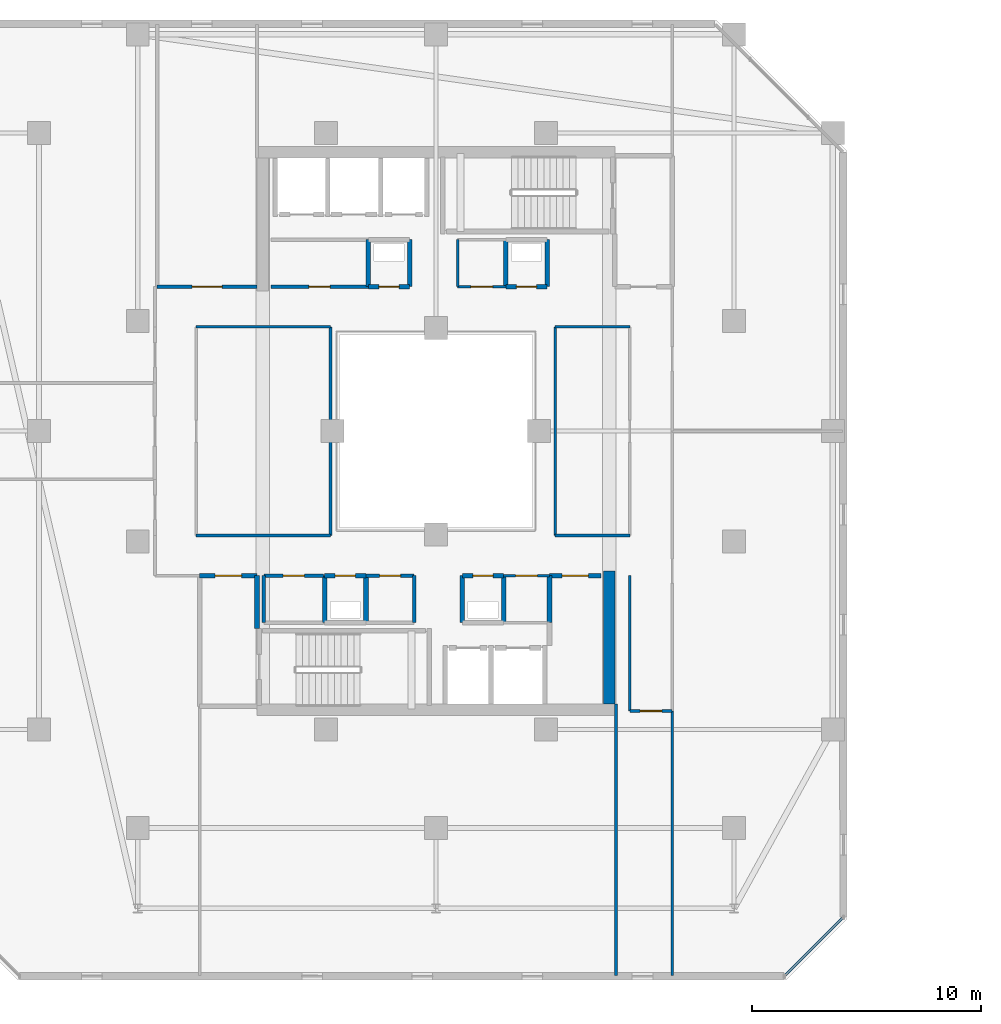
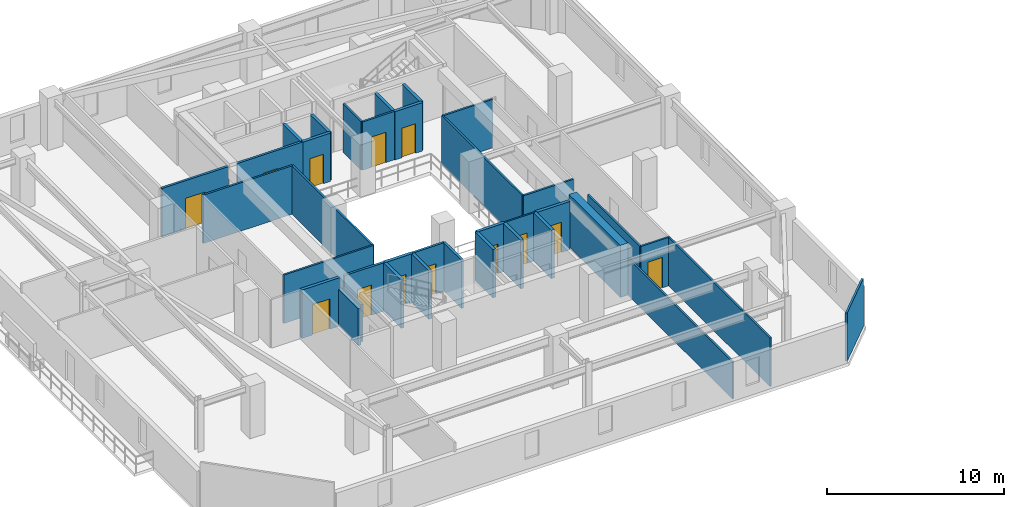
# One storey, part 19 of 31: 37 walls, 13 doors, 13 openings.
"""IFC4 building model written with IfcOpenShell, lengths in metres."""

from ifc_helpers import new_model, si_unit, direction, frame, frame_2d, origin, place, context, subcontext, project, spatial, rectangle, extrude, material, layer, layer_set, type_object, element, fill, save


model = new_model("IFC4")

# Units and contexts
model_context = context("Model", 3, precision=1e-05, world=origin(), true_north=direction((0.0, 1.0)))
body_context = subcontext(model_context, "Body", "Model", "MODEL_VIEW")
ifc_project = project(units=[si_unit("LENGTHUNIT", "METRE"), si_unit("AREAUNIT", "SQUARE_METRE"), si_unit("VOLUMEUNIT", "CUBIC_METRE"), si_unit("PLANEANGLEUNIT", "RADIAN"), si_unit("MASSUNIT", "GRAM", prefix="KILO")], contexts=[model_context])

# Site, building, storey
site_placement = place(None, origin())
site = spatial("IfcSite", under=ifc_project, at=site_placement, CompositionType="ELEMENT")
building_placement = place(site_placement, origin())
building = spatial("IfcBuilding", under=site, at=building_placement, Name="Thornwick Lancets Civic Towers", CompositionType="ELEMENT")
storey_placement = place(building_placement, frame((0.0, 0.0, 236.699951171875)))
storey = spatial("IfcBuildingStorey", under=building, at=storey_placement, Name="L63", CompositionType="ELEMENT", Elevation=236.699951171875)

# Wall
ifc_material_1 = material(Name="Concrete blockwork C40/50", Category="masonry")
ifc_layer_1 = layer(ifc_material_1, 0.199951171875, Name="Concrete blockwork C40/50")
ifc_layer_set_1 = layer_set([ifc_layer_1], Name="Concrete blockwork C40/50")
wall_type_1 = type_object("IfcWallType", Name="WALL_COMP_200", PredefinedType="STANDARD", material=ifc_layer_set_1)
wall_1_placement = place(storey_placement, frame((17.699951171875, 18.39990234375, 0.0), z_axis=(0.0, 0.0, 1.0), x_axis=(0.0, 1.0, 0.0)))
element("IfcWall", 1, at=wall_1_placement, inside=storey, type_object=wall_type_1, Name="L63 Partition L63-A-FFLOB1 E2", PredefinedType="STANDARD", context=body_context, shape_type="SweptSolid", body=[
    extrude(rectangle(XDim=2.300048828125, YDim=0.199951171875, at=frame_2d((1.14990234375, 0.0))), origin(), (0.0, 0.0, 1.0), 2.545166015625),
])

# Wall, opening, door
wall_2_placement = place(storey_placement, frame((17.699951171875, 20.699951171875, 0.0), z_axis=(0.0, 0.0, 1.0), x_axis=(-1.0, 0.0, 0.0)))
wall_2 = element("IfcWall", 2, at=wall_2_placement, inside=storey, type_object=wall_type_1, Name="L63 Partition L63-A-FFLOB1 E3", PredefinedType="STANDARD", context=body_context, shape_type="SweptSolid", body=[
    extrude(rectangle(XDim=2.5, YDim=0.199951171875, at=frame_2d((1.25, 0.0))), origin(), (0.0, 0.0, 1.0), 3.340087890625),
])
opening_1_placement = place(wall_2_placement, frame((0.675048828125, 0.0, 0.0)))
opening_1 = element("IfcOpeningElement", 3, at=opening_1_placement, cuts=wall_2, Name="Opening D-L63-2827", PredefinedType="OPENING", context=body_context, shape_type="SweptSolid", body=[
    extrude(rectangle(XDim=1.14990234375, YDim=2.10009765625, at=frame_2d((0.574951171875, 1.050048828125))), frame((0.0, 0.10986328125, 0.0), z_axis=(0.0, -1.0, 0.0), x_axis=(1.0, 0.0, 0.0)), (0.0, 0.0, 1.0), 0.219970703125),
])
ifc_material_2 = material(Name="Glazed fire-resisting steel", Category="steel")
door_type_1 = type_object("IfcDoorType", Name="DOOR_LOBBY_FD60", OperationType="NOTDEFINED", PredefinedType="DOOR", material=ifc_material_2)
door_1_placement = place(opening_1_placement, origin())
door_1 = element("IfcDoor", 4, at=door_1_placement, inside=storey, type_object=door_type_1, Name="L63 South Firefighting Lobby 1 Door", OperationType="SINGLE_SWING_RIGHT", OverallHeight=2.10009765625, OverallWidth=1.14990234375, PredefinedType="DOOR", context=body_context, shape_type="SweptSolid", body=[
    extrude(rectangle(XDim=1.14990234375, YDim=2.10009765625, at=frame_2d((0.574951171875, 1.050048828125))), frame((0.0, 0.02490234375, 0.0), z_axis=(0.0, -1.0, 0.0), x_axis=(1.0, 0.0, 0.0)), (0.0, 0.0, 1.0), 0.050048828125),
])
fill(opening_1, door_1)

# Wall
wall_3_placement = place(storey_placement, frame((28.449951171875, 18.64990234375, 0.0), z_axis=(0.0, 0.0, 1.0), x_axis=(0.0, 1.0, 0.0)))
element("IfcWall", 5, at=wall_3_placement, inside=storey, type_object=wall_type_1, Name="L63 Partition L63-A-DUCT1 E2", PredefinedType="STANDARD", context=body_context, shape_type="SweptSolid", body=[
    extrude(rectangle(XDim=2.050048828125, YDim=0.199951171875, at=frame_2d((1.02490234375, 0.0))), origin(), (0.0, 0.0, 1.0), 3.340087890625),
])

# Wall, opening, door
wall_4_placement = place(storey_placement, frame((28.449951171875, 20.699951171875, 0.0), z_axis=(0.0, 0.0, 1.0), x_axis=(-1.0, 0.0, 0.0)))
wall_4 = element("IfcWall", 6, at=wall_4_placement, inside=storey, type_object=wall_type_1, Name="L63 Partition L63-A-DUCT1 E3", PredefinedType="STANDARD", context=body_context, shape_type="SweptSolid", body=[
    extrude(rectangle(XDim=1.800048828125, YDim=0.199951171875, at=frame_2d((0.89990234375, 0.0))), origin(), (0.0, 0.0, 1.0), 3.340087890625),
])
opening_2_placement = place(wall_4_placement, frame((0.4599609375, 0.0, 0.0)))
opening_2 = element("IfcOpeningElement", 7, at=opening_2_placement, cuts=wall_4, Name="Opening D-L63-2829", PredefinedType="OPENING", context=body_context, shape_type="SweptSolid", body=[
    extrude(rectangle(XDim=0.8798828125, YDim=2.0400390625, at=frame_2d((0.43994140625, 1.02001953125))), frame((0.0, 0.10986328125, 0.0), z_axis=(0.0, -1.0, 0.0), x_axis=(1.0, 0.0, 0.0)), (0.0, 0.0, 1.0), 0.219970703125),
])
ifc_material_3 = material(Name="Steel riser access doorset", Category="steel")
door_type_2 = type_object("IfcDoorType", Name="DOOR_RISER_850", OperationType="NOTDEFINED", PredefinedType="DOOR", material=ifc_material_3)
door_2_placement = place(opening_2_placement, origin())
door_2 = element("IfcDoor", 8, at=door_2_placement, inside=storey, type_object=door_type_2, Name="L63 South Service Duct 1 Door", OperationType="SINGLE_SWING_RIGHT", OverallHeight=2.0400390625, OverallWidth=0.8798828125, PredefinedType="DOOR", context=body_context, shape_type="SweptSolid", body=[
    extrude(rectangle(XDim=0.8798828125, YDim=2.0400390625, at=frame_2d((0.43994140625, 1.02001953125))), frame((0.0, 0.02490234375, 0.0), z_axis=(0.0, -1.0, 0.0), x_axis=(1.0, 0.0, 0.0)), (0.0, 0.0, 1.0), 0.050048828125),
])
fill(opening_2, door_2)

# Walls
for number, where, z_axis, x_axis, name in (
    (9, (26.64990234375, 20.699951171875, 0.0), (0.0, 0.0, 1.0), (0.0, -1.0, 0.0), "L63 Partition L63-A-DUCT1 E4"),
    (10, (22.449951171875, 18.64990234375, 0.0), (0.0, 0.0, 1.0), (0.0, 1.0, 0.0), "L63 Partition L63-A-RISER1 E2"),
):
    element("IfcWall", number, at=place(storey_placement, frame(where, z_axis=z_axis, x_axis=x_axis)), inside=storey, type_object=wall_type_1, Name=name, PredefinedType="STANDARD", context=body_context, shape_type="SweptSolid", body=[
        extrude(rectangle(XDim=2.050048828125, YDim=0.199951171875, at=frame_2d((1.02490234375, 0.0))), origin(), (0.0, 0.0, 1.0), 3.340087890625),
    ])

# Wall, opening, door
wall_5_placement = place(storey_placement, frame((22.449951171875, 20.699951171875, 0.0), z_axis=(0.0, 0.0, 1.0), x_axis=(-1.0, 0.0, 0.0)))
wall_5 = element("IfcWall", 11, at=wall_5_placement, inside=storey, type_object=wall_type_1, Name="L63 Partition L63-A-RISER1 E3", PredefinedType="STANDARD", context=body_context, shape_type="SweptSolid", body=[
    extrude(rectangle(XDim=1.800048828125, YDim=0.199951171875, at=frame_2d((0.89990234375, 0.0))), origin(), (0.0, 0.0, 1.0), 3.340087890625),
])
opening_3_placement = place(wall_5_placement, frame((0.4599609375, 0.0, 0.0)))
opening_3 = element("IfcOpeningElement", 12, at=opening_3_placement, cuts=wall_5, Name="Opening D-L63-2830", PredefinedType="OPENING", context=body_context, shape_type="SweptSolid", body=[
    extrude(rectangle(XDim=0.8798828125, YDim=2.0400390625, at=frame_2d((0.43994140625, 1.02001953125))), frame((0.0, 0.10986328125, 0.0), z_axis=(0.0, -1.0, 0.0), x_axis=(1.0, 0.0, 0.0)), (0.0, 0.0, 1.0), 0.219970703125),
])
door_3_placement = place(opening_3_placement, origin())
door_3 = element("IfcDoor", 13, at=door_3_placement, inside=storey, type_object=door_type_2, Name="L63 South Electrical Riser 1 Door", OperationType="SINGLE_SWING_LEFT", OverallHeight=2.0400390625, OverallWidth=0.8798828125, PredefinedType="DOOR", context=body_context, shape_type="SweptSolid", body=[
    extrude(rectangle(XDim=0.8798828125, YDim=2.0400390625, at=frame_2d((0.43994140625, 1.02001953125))), frame((0.0, 0.02490234375, 0.0), z_axis=(0.0, -1.0, 0.0), x_axis=(1.0, 0.0, 0.0)), (0.0, 0.0, 1.0), 0.050048828125),
])
fill(opening_3, door_3)

# Wall
wall_6_placement = place(storey_placement, frame((20.64990234375, 20.699951171875, 0.0), z_axis=(0.0, 0.0, 1.0), x_axis=(0.0, -1.0, 0.0)))
element("IfcWall", 14, at=wall_6_placement, inside=storey, type_object=wall_type_1, Name="L63 Partition L63-A-RISER1 E4", PredefinedType="STANDARD", context=body_context, shape_type="SweptSolid", body=[
    extrude(rectangle(XDim=2.050048828125, YDim=0.199951171875, at=frame_2d((1.02490234375, 0.0))), origin(), (0.0, 0.0, 1.0), 3.340087890625),
])

# Wall, opening, door
wall_7_placement = place(storey_placement, frame((22.550048828125, 33.300048828125, 0.0), z_axis=(0.0, 0.0, 1.0), x_axis=(1.0, 0.0, 0.0)))
wall_7 = element("IfcWall", 15, at=wall_7_placement, inside=storey, type_object=wall_type_1, Name="L63 Partition L63-A-DUCT2 E1", PredefinedType="STANDARD", context=body_context, shape_type="SweptSolid", body=[
    extrude(rectangle(XDim=1.800048828125, YDim=0.199951171875, at=frame_2d((0.89990234375, 0.0))), origin(), (0.0, 0.0, 1.0), 3.340087890625),
])
opening_4_placement = place(wall_7_placement, frame((0.4599609375, 0.0, 0.0)))
opening_4 = element("IfcOpeningElement", 16, at=opening_4_placement, cuts=wall_7, Name="Opening D-L63-2831", PredefinedType="OPENING", context=body_context, shape_type="SweptSolid", body=[
    extrude(rectangle(XDim=0.8798828125, YDim=2.0400390625, at=frame_2d((0.43994140625, 1.02001953125))), frame((0.0, 0.10986328125, 0.0), z_axis=(0.0, -1.0, 0.0), x_axis=(1.0, 0.0, 0.0)), (0.0, 0.0, 1.0), 0.219970703125),
])
door_4_placement = place(opening_4_placement, origin())
door_4 = element("IfcDoor", 17, at=door_4_placement, inside=storey, type_object=door_type_2, Name="L63 North Service Duct 2 Door", OperationType="SINGLE_SWING_RIGHT", OverallHeight=2.0400390625, OverallWidth=0.8798828125, PredefinedType="DOOR", context=body_context, shape_type="SweptSolid", body=[
    extrude(rectangle(XDim=0.8798828125, YDim=2.0400390625, at=frame_2d((0.43994140625, 1.02001953125))), frame((0.0, 0.02490234375, 0.0), z_axis=(0.0, -1.0, 0.0), x_axis=(1.0, 0.0, 0.0)), (0.0, 0.0, 1.0), 0.050048828125),
])
fill(opening_4, door_4)

# Walls
for number, where, z_axis, x_axis, name in (
    (18, (24.35009765625, 33.300048828125, 0.0), (0.0, 0.0, 1.0), (0.0, 1.0, 0.0), "L63 Partition L63-A-DUCT2 E2"),
    (19, (22.550048828125, 35.35009765625, 0.0), (0.0, 0.0, 1.0), (0.0, -1.0, 0.0), "L63 Partition L63-A-DUCT2 E4"),
):
    element("IfcWall", number, at=place(storey_placement, frame(where, z_axis=z_axis, x_axis=x_axis)), inside=storey, type_object=wall_type_1, Name=name, PredefinedType="STANDARD", context=body_context, shape_type="SweptSolid", body=[
        extrude(rectangle(XDim=2.050048828125, YDim=0.199951171875, at=frame_2d((1.02490234375, 0.0))), origin(), (0.0, 0.0, 1.0), 3.340087890625),
    ])

# Wall, opening, door
wall_8_placement = place(storey_placement, frame((28.550048828125, 33.300048828125, 0.0), z_axis=(0.0, 0.0, 1.0), x_axis=(1.0, 0.0, 0.0)))
wall_8 = element("IfcWall", 20, at=wall_8_placement, inside=storey, type_object=wall_type_1, Name="L63 Partition L63-A-RISER2 E1", PredefinedType="STANDARD", context=body_context, shape_type="SweptSolid", body=[
    extrude(rectangle(XDim=1.800048828125, YDim=0.199951171875, at=frame_2d((0.89990234375, 0.0))), origin(), (0.0, 0.0, 1.0), 3.340087890625),
])
opening_5_placement = place(wall_8_placement, frame((0.4599609375, 0.0, 0.0)))
opening_5 = element("IfcOpeningElement", 21, at=opening_5_placement, cuts=wall_8, Name="Opening D-L63-2832", PredefinedType="OPENING", context=body_context, shape_type="SweptSolid", body=[
    extrude(rectangle(XDim=0.8798828125, YDim=2.0400390625, at=frame_2d((0.43994140625, 1.02001953125))), frame((0.0, 0.10986328125, 0.0), z_axis=(0.0, -1.0, 0.0), x_axis=(1.0, 0.0, 0.0)), (0.0, 0.0, 1.0), 0.219970703125),
])
door_5_placement = place(opening_5_placement, origin())
door_5 = element("IfcDoor", 22, at=door_5_placement, inside=storey, type_object=door_type_2, Name="L63 North Service Riser 2 Door", OperationType="SINGLE_SWING_LEFT", OverallHeight=2.0400390625, OverallWidth=0.8798828125, PredefinedType="DOOR", context=body_context, shape_type="SweptSolid", body=[
    extrude(rectangle(XDim=0.8798828125, YDim=2.0400390625, at=frame_2d((0.43994140625, 1.02001953125))), frame((0.0, 0.02490234375, 0.0), z_axis=(0.0, -1.0, 0.0), x_axis=(1.0, 0.0, 0.0)), (0.0, 0.0, 1.0), 0.050048828125),
])
fill(opening_5, door_5)

# Walls
for number, where, z_axis, x_axis, name in (
    (23, (30.35009765625, 33.300048828125, 0.0), (0.0, 0.0, 1.0), (0.0, 1.0, 0.0), "L63 Partition L63-A-RISER2 E2"),
    (24, (28.550048828125, 35.35009765625, 0.0), (0.0, 0.0, 1.0), (0.0, -1.0, 0.0), "L63 Partition L63-A-RISER2 E4"),
    (25, (30.449951171875, 18.64990234375, 0.0), (0.0, 0.0, 1.0), (0.0, 1.0, 0.0), "L63 Partition L63-A-ITR2 E4"),
):
    element("IfcWall", number, at=place(storey_placement, frame(where, z_axis=z_axis, x_axis=x_axis)), inside=storey, type_object=wall_type_1, Name=name, PredefinedType="STANDARD", context=body_context, shape_type="SweptSolid", body=[
        extrude(rectangle(XDim=2.050048828125, YDim=0.199951171875, at=frame_2d((1.02490234375, 0.0))), origin(), (0.0, 0.0, 1.0), 3.340087890625),
    ])

# Wall, opening, door
wall_9_placement = place(storey_placement, frame((30.449951171875, 20.699951171875, 0.0), z_axis=(0.0, 0.0, 1.0), x_axis=(1.0, 0.0, 0.0)))
wall_9 = element("IfcWall", 26, at=wall_9_placement, inside=storey, type_object=wall_type_1, Name="L63 Partition L63-A-ITR2 E5", PredefinedType="STANDARD", context=body_context, shape_type="SweptSolid", body=[
    extrude(rectangle(XDim=2.25, YDim=0.199951171875, at=frame_2d((1.125, 0.0))), origin(), (0.0, 0.0, 1.0), 3.340087890625),
])
opening_6_placement = place(wall_9_placement, frame((0.550048828125, 0.0, 0.0)))
opening_6 = element("IfcOpeningElement", 27, at=opening_6_placement, cuts=wall_9, Name="Opening D-L63-2836", PredefinedType="OPENING", context=body_context, shape_type="SweptSolid", body=[
    extrude(rectangle(XDim=1.14990234375, YDim=2.10009765625, at=frame_2d((0.574951171875, 1.050048828125))), frame((0.0, 0.10986328125, 0.0), z_axis=(0.0, -1.0, 0.0), x_axis=(1.0, 0.0, 0.0)), (0.0, 0.0, 1.0), 0.219970703125),
])
door_6_placement = place(opening_6_placement, origin())
door_6 = element("IfcDoor", 28, at=door_6_placement, inside=storey, type_object=door_type_1, Name="L63 Tower A Statutory Core Archive Door", OperationType="SINGLE_SWING_LEFT", OverallHeight=2.10009765625, OverallWidth=1.14990234375, PredefinedType="DOOR", context=body_context, shape_type="SweptSolid", body=[
    extrude(rectangle(XDim=1.14990234375, YDim=2.10009765625, at=frame_2d((0.574951171875, 1.050048828125))), frame((0.0, 0.02490234375, 0.0), z_axis=(0.0, -1.0, 0.0), x_axis=(1.0, 0.0, 0.0)), (0.0, 0.0, 1.0), 0.050048828125),
])
fill(opening_6, door_6)

# Wall
ifc_material_4 = material(Name="Concrete C50/60", Category="concrete")
ifc_layer_2 = layer(ifc_material_4, 0.5, Name="Concrete C50/60")
ifc_layer_set_2 = layer_set([ifc_layer_2], Name="Concrete C50/60")
wall_type_2 = type_object("IfcWallType", Name="WALL_CORE_500", PredefinedType="SHEAR", material=ifc_layer_set_2)
wall_10_placement = place(storey_placement, frame((33.050048828125, 15.10009765625, 0.0), z_axis=(0.0, 0.0, 1.0), x_axis=(0.0, 1.0, 0.0)))
element("IfcWall", 29, at=wall_10_placement, inside=storey, type_object=wall_type_2, Name="L63 Split Core A1 Shear Wall E", PredefinedType="SHEAR", context=body_context, shape_type="SweptSolid", body=[
    extrude(rectangle(XDim=5.7998046875, YDim=0.5, at=frame_2d((2.89990234375, 0.0))), origin(), (0.0, 0.0, 1.0), 3.60009765625),
])

# Wall, opening, door
ifc_material_5 = material(Name="Lightweight cellular office partition")
ifc_layer_3 = layer(ifc_material_5, 0.10009765625, Name="Lightweight cellular office partition")
ifc_layer_set_3 = layer_set([ifc_layer_3], Name="Lightweight cellular office partition")
wall_type_3 = type_object("IfcWallType", Name="WALL_PART_100", PredefinedType="PARTITIONING", material=ifc_layer_set_3)
wall_11_placement = place(storey_placement, frame((28.449951171875, 20.699951171875, 0.0), z_axis=(0.0, 0.0, 1.0), x_axis=(1.0, 0.0, 0.0)))
wall_11 = element("IfcWall", 30, at=wall_11_placement, inside=storey, type_object=wall_type_3, Name="L63 Partition L63-A-CLN E4", PredefinedType="PARTITIONING", context=body_context, shape_type="SweptSolid", body=[
    extrude(rectangle(XDim=2.0, YDim=0.10009765625, at=frame_2d((1.0, 0.0))), origin(), (0.0, 0.0, 1.0), 3.340087890625),
])
opening_7_placement = place(wall_11_placement, frame((0.52490234375, 0.0, 0.0)))
opening_7 = element("IfcOpeningElement", 31, at=opening_7_placement, cuts=wall_11, Name="Opening D-L63-2835", PredefinedType="OPENING", context=body_context, shape_type="SweptSolid", body=[
    extrude(rectangle(XDim=0.949951171875, YDim=2.10009765625, at=frame_2d((0.47509765625, 1.050048828125))), frame((0.0, 0.06005859375, 0.0), z_axis=(0.0, -1.0, 0.0), x_axis=(1.0, 0.0, 0.0)), (0.0, 0.0, 1.0), 0.1201171875),
])
ifc_material_6 = material(Name="European oak acoustic doorset")
door_type_3 = type_object("IfcDoorType", Name="DOOR_OFFICE_950", OperationType="NOTDEFINED", PredefinedType="DOOR", material=ifc_material_6)
door_7_placement = place(opening_7_placement, origin())
door_7 = element("IfcDoor", 32, at=door_7_placement, inside=storey, type_object=door_type_3, Name="L63 Tower A Cleaners Store Door", OperationType="SINGLE_SWING_RIGHT", OverallHeight=2.10009765625, OverallWidth=0.949951171875, PredefinedType="DOOR", context=body_context, shape_type="SweptSolid", body=[
    extrude(rectangle(XDim=0.949951171875, YDim=2.10009765625, at=frame_2d((0.47509765625, 1.050048828125))), frame((0.0, 0.02490234375, 0.0), z_axis=(0.0, -1.0, 0.0), x_axis=(1.0, 0.0, 0.0)), (0.0, 0.0, 1.0), 0.050048828125),
])
fill(opening_7, door_7)

# Wall
ifc_material_7 = material(Name="Acoustic gypsum board partition")
ifc_layer_4 = layer(ifc_material_7, 0.1201171875, Name="Acoustic gypsum board partition")
ifc_layer_set_4 = layer_set([ifc_layer_4], Name="Acoustic gypsum board partition")
wall_type_4 = type_object("IfcWallType", Name="WALL_PART_120", PredefinedType="PARTITIONING", material=ifc_layer_set_4)
wall_12_placement = place(storey_placement, frame((26.449951171875, 33.300048828125, 0.0), z_axis=(0.0, 0.0, 1.0), x_axis=(0.0, 1.0, 0.0)))
element("IfcWall", 33, at=wall_12_placement, inside=storey, type_object=wall_type_4, Name="L63 Partition L63-A-ITR E1", PredefinedType="PARTITIONING", context=body_context, shape_type="SweptSolid", body=[
    extrude(rectangle(XDim=2.050048828125, YDim=0.1201171875, at=frame_2d((1.02490234375, 0.0))), origin(), (0.0, 0.0, 1.0), 3.340087890625),
])

# Wall, opening, door
wall_13_placement = place(storey_placement, frame((28.550048828125, 33.300048828125, 0.0), z_axis=(0.0, 0.0, 1.0), x_axis=(-1.0, 0.0, 0.0)))
wall_13 = element("IfcWall", 34, at=wall_13_placement, inside=storey, type_object=wall_type_4, Name="L63 Partition L63-A-ITR E4", PredefinedType="PARTITIONING", context=body_context, shape_type="SweptSolid", body=[
    extrude(rectangle(XDim=2.10009765625, YDim=0.1201171875, at=frame_2d((1.050048828125, 0.0))), origin(), (0.0, 0.0, 1.0), 3.340087890625),
])
opening_8_placement = place(wall_13_placement, frame((0.574951171875, 0.0, 0.0)))
opening_8 = element("IfcOpeningElement", 35, at=opening_8_placement, cuts=wall_13, Name="Opening D-L63-2838", PredefinedType="OPENING", context=body_context, shape_type="SweptSolid", body=[
    extrude(rectangle(XDim=0.949951171875, YDim=2.10009765625, at=frame_2d((0.47509765625, 1.050048828125))), frame((0.0, 0.070068359375, 0.0), z_axis=(0.0, -1.0, 0.0), x_axis=(1.0, 0.0, 0.0)), (0.0, 0.0, 1.0), 0.14013671875),
])
door_8_placement = place(opening_8_placement, origin())
door_8 = element("IfcDoor", 36, at=door_8_placement, inside=storey, type_object=door_type_3, Name="L63 Tower A Comms Patch Room Door", OperationType="SINGLE_SWING_LEFT", OverallHeight=2.10009765625, OverallWidth=0.949951171875, PredefinedType="DOOR", context=body_context, shape_type="SweptSolid", body=[
    extrude(rectangle(XDim=0.949951171875, YDim=2.10009765625, at=frame_2d((0.47509765625, 1.050048828125))), frame((0.0, 0.02490234375, 0.0), z_axis=(0.0, -1.0, 0.0), x_axis=(1.0, 0.0, 0.0)), (0.0, 0.0, 1.0), 0.050048828125),
])
fill(opening_8, door_8)

# Wall
wall_14_placement = place(storey_placement, frame((33.949951171875, 20.699951171875, 0.0), z_axis=(0.0, 0.0, 1.0), x_axis=(0.0, -1.0, 0.0)))
element("IfcWall", 37, at=wall_14_placement, inside=storey, type_object=wall_type_4, Name="L63 Partition L63-A-RECLAIM-L E1", PredefinedType="PARTITIONING", context=body_context, shape_type="SweptSolid", body=[
    extrude(rectangle(XDim=5.89990234375, YDim=0.1201171875, at=frame_2d((2.949951171875, 0.0))), origin(), (0.0, 0.0, 1.0), 3.340087890625),
])

# Wall, opening, door
wall_15_placement = place(storey_placement, frame((33.949951171875, 14.800048828125, 0.0), z_axis=(0.0, 0.0, 1.0), x_axis=(1.0, 0.0, 0.0)))
wall_15 = element("IfcWall", 38, at=wall_15_placement, inside=storey, type_object=wall_type_4, Name="L63 Partition L63-A-RECLAIM-L E2", PredefinedType="PARTITIONING", context=body_context, shape_type="SweptSolid", body=[
    extrude(rectangle(XDim=1.85009765625, YDim=0.1201171875, at=frame_2d((0.925048828125, 0.0))), origin(), (0.0, 0.0, 1.0), 3.340087890625),
])
opening_9_placement = place(wall_15_placement, frame((0.449951171875, 0.0, 0.0)))
opening_9 = element("IfcOpeningElement", 39, at=opening_9_placement, cuts=wall_15, Name="Opening D-L63-2851", PredefinedType="OPENING", context=body_context, shape_type="SweptSolid", body=[
    extrude(rectangle(XDim=0.949951171875, YDim=2.10009765625, at=frame_2d((0.47509765625, 1.050048828125))), frame((0.0, 0.070068359375, 0.0), z_axis=(0.0, -1.0, 0.0), x_axis=(1.0, 0.0, 0.0)), (0.0, 0.0, 1.0), 0.14013671875),
])
door_9_placement = place(opening_9_placement, origin())
door_9 = element("IfcDoor", 40, at=door_9_placement, inside=storey, type_object=door_type_3, Name="L63 Tower A Parliamentary Drafting Library Door", OperationType="SINGLE_SWING_RIGHT", OverallHeight=2.10009765625, OverallWidth=0.949951171875, PredefinedType="DOOR", context=body_context, shape_type="SweptSolid", body=[
    extrude(rectangle(XDim=0.949951171875, YDim=2.10009765625, at=frame_2d((0.47509765625, 1.050048828125))), frame((0.0, 0.02490234375, 0.0), z_axis=(0.0, -1.0, 0.0), x_axis=(1.0, 0.0, 0.0)), (0.0, 0.0, 1.0), 0.050048828125),
])
fill(opening_9, door_9)

# Walls
wall_16_placement = place(storey_placement, frame((35.800048828125, 14.800048828125, 0.0), z_axis=(0.0, 0.0, 1.0), x_axis=(0.0, -1.0, 0.0)))
element("IfcWall", 41, at=wall_16_placement, inside=storey, type_object=wall_type_4, Name="L63 Partition L63-A-RECLAIM-L E3", PredefinedType="PARTITIONING", context=body_context, shape_type="SweptSolid", body=[
    extrude(rectangle(XDim=11.52001953125, YDim=0.1201171875, at=frame_2d((5.760009765625, 0.0))), origin(), (0.0, 0.0, 1.0), 3.340087890625),
])
wall_17_placement = place(storey_placement, frame((33.35009765625, 3.280029296875, 0.0), z_axis=(0.0, 0.0, 1.0), x_axis=(0.0, 1.0, 0.0)))
element("IfcWall", 42, at=wall_17_placement, inside=storey, type_object=wall_type_4, Name="L63 Partition L63-A-RECLAIM-L E5", PredefinedType="PARTITIONING", context=body_context, shape_type="SweptSolid", body=[
    extrude(rectangle(XDim=11.820068359375, YDim=0.1201171875, at=frame_2d((5.91015625, 0.0))), origin(), (0.0, 0.0, 1.0), 2.545166015625),
])
wall_18_placement = place(storey_placement, frame((15.050048828125, 31.550048828125, 0.0), z_axis=(0.0, 0.0, 1.0), x_axis=(1.0, 0.0, 0.0)))
element("IfcWall", 43, at=wall_18_placement, inside=storey, type_object=wall_type_4, Name="L63 Partition L63-A-W3 E2", PredefinedType="PARTITIONING", context=body_context, shape_type="SweptSolid", body=[
    extrude(rectangle(XDim=5.849853515625, YDim=0.1201171875, at=frame_2d((2.9248046875, 0.0))), origin(), (0.0, 0.0, 1.0), 3.340087890625),
])
wall_19_placement = place(storey_placement, frame((20.89990234375, 31.550048828125, 0.0), z_axis=(0.0, 0.0, 1.0), x_axis=(0.0, -1.0, 0.0)))
element("IfcWall", 44, at=wall_19_placement, inside=storey, type_object=wall_type_4, Name="L63 Partition L63-A-W3 E3", PredefinedType="PARTITIONING", context=body_context, shape_type="SweptSolid", body=[
    extrude(rectangle(XDim=9.10009765625, YDim=0.1201171875, at=frame_2d((4.550048828125, 0.0))), origin(), (0.0, 0.0, 1.0), 3.340087890625),
])
wall_20_placement = place(storey_placement, frame((20.89990234375, 22.449951171875, 0.0), z_axis=(0.0, 0.0, 1.0), x_axis=(-1.0, 0.0, 0.0)))
element("IfcWall", 45, at=wall_20_placement, inside=storey, type_object=wall_type_4, Name="L63 Partition L63-A-W3 E4", PredefinedType="PARTITIONING", context=body_context, shape_type="SweptSolid", body=[
    extrude(rectangle(XDim=5.849853515625, YDim=0.1201171875, at=frame_2d((2.9248046875, 0.0))), origin(), (0.0, 0.0, 1.0), 3.340087890625),
])
wall_21_placement = place(storey_placement, frame((43.219970703125, 5.774658203125, 0.0), z_axis=(0.0, 0.0, 1.0), x_axis=(-0.707106781187, -0.707106781187, 0.0)))
element("IfcWall", 46, at=wall_21_placement, inside=storey, type_object=wall_type_4, Name="L63 Partition L63-A-E1 E6", PredefinedType="PARTITIONING", context=body_context, shape_type="SweptSolid", body=[
    extrude(rectangle(XDim=3.52783203125, YDim=0.1201171875, at=frame_2d((1.763916015625, 0.0))), origin(), (0.0, 0.0, 1.0), 3.340087890625),
])
wall_22_placement = place(storey_placement, frame((30.699951171875, 22.449951171875, 0.0), z_axis=(0.0, 0.0, 1.0), x_axis=(0.0, 1.0, 0.0)))
element("IfcWall", 47, at=wall_22_placement, inside=storey, type_object=wall_type_4, Name="L63 Partition L63-A-E-ATRIUM-OFF E1", PredefinedType="PARTITIONING", context=body_context, shape_type="SweptSolid", body=[
    extrude(rectangle(XDim=9.10009765625, YDim=0.1201171875, at=frame_2d((4.550048828125, 0.0))), origin(), (0.0, 0.0, 1.0), 3.340087890625),
])
for number, where, z_axis, x_axis, name in (
    (48, (30.699951171875, 31.550048828125, 0.0), (0.0, 0.0, 1.0), (1.0, 0.0, 0.0), "L63 Partition L63-A-E-ATRIUM-OFF E2"),
    (49, (33.949951171875, 22.449951171875, 0.0), (0.0, 0.0, 1.0), (-1.0, 0.0, 0.0), "L63 Partition L63-A-E-ATRIUM-OFF E4"),
):
    element("IfcWall", number, at=place(storey_placement, frame(where, z_axis=z_axis, x_axis=x_axis)), inside=storey, type_object=wall_type_4, Name=name, PredefinedType="PARTITIONING", context=body_context, shape_type="SweptSolid", body=[
        extrude(rectangle(XDim=3.25, YDim=0.1201171875, at=frame_2d((1.625, 0.0))), origin(), (0.0, 0.0, 1.0), 3.340087890625),
    ])

# Wall, opening, door
ifc_material_8 = material(Name="Twin-stud acoustic gypsum board")
ifc_layer_5 = layer(ifc_material_8, 0.14990234375, Name="Twin-stud acoustic gypsum board")
ifc_layer_set_5 = layer_set([ifc_layer_5], Name="Twin-stud acoustic gypsum board")
wall_type_5 = type_object("IfcWallType", Name="WALL_PART_150", PredefinedType="PARTITIONING", material=ifc_layer_set_5)
wall_23_placement = place(storey_placement, frame((20.60009765625, 20.699951171875, 0.0), z_axis=(0.0, 0.0, 1.0), x_axis=(-1.0, 0.0, 0.0)))
wall_23 = element("IfcWall", 50, at=wall_23_placement, inside=storey, type_object=wall_type_5, Name="L63 Partition L63-A-MWC E3", PredefinedType="PARTITIONING", context=body_context, shape_type="SweptSolid", body=[
    extrude(rectangle(XDim=2.60009765625, YDim=0.14990234375, at=frame_2d((1.300048828125, 0.0))), origin(), (0.0, 0.0, 1.0), 3.340087890625),
])
opening_10_placement = place(wall_23_placement, frame((0.840087890625, 0.0, 0.0)))
opening_10 = element("IfcOpeningElement", 51, at=opening_10_placement, cuts=wall_23, Name="Opening D-L63-2833", PredefinedType="OPENING", context=body_context, shape_type="SweptSolid", body=[
    extrude(rectangle(XDim=0.919921875, YDim=2.080078125, at=frame_2d((0.4599609375, 1.0400390625))), frame((0.0, 0.0849609375, 0.0), z_axis=(0.0, -1.0, 0.0), x_axis=(1.0, 0.0, 0.0)), (0.0, 0.0, 1.0), 0.169921875),
])
ifc_material_9 = material(Name="Moisture-resistant oak doorset")
door_type_4 = type_object("IfcDoorType", Name="DOOR_WC_900", OperationType="NOTDEFINED", PredefinedType="DOOR", material=ifc_material_9)
door_10_placement = place(opening_10_placement, origin())
door_10 = element("IfcDoor", 52, at=door_10_placement, inside=storey, type_object=door_type_4, Name="L63 Tower A Male WC Door", OperationType="SINGLE_SWING_RIGHT", OverallHeight=2.080078125, OverallWidth=0.919921875, PredefinedType="DOOR", context=body_context, shape_type="SweptSolid", body=[
    extrude(rectangle(XDim=0.919921875, YDim=2.080078125, at=frame_2d((0.4599609375, 1.0400390625))), frame((0.0, 0.02490234375, 0.0), z_axis=(0.0, -1.0, 0.0), x_axis=(1.0, 0.0, 0.0)), (0.0, 0.0, 1.0), 0.050048828125),
])
fill(opening_10, door_10)

# Walls
wall_24_placement = place(storey_placement, frame((18.0, 20.699951171875, 0.0), z_axis=(0.0, 0.0, 1.0), x_axis=(0.0, -1.0, 0.0)))
element("IfcWall", 53, at=wall_24_placement, inside=storey, type_object=wall_type_5, Name="L63 Partition L63-A-MWC E4", PredefinedType="PARTITIONING", context=body_context, shape_type="SweptSolid", body=[
    extrude(rectangle(XDim=2.050048828125, YDim=0.14990234375, at=frame_2d((1.02490234375, 0.0))), origin(), (0.0, 0.0, 1.0), 2.545166015625),
])
wall_25_placement = place(storey_placement, frame((24.550048828125, 20.699951171875, 0.0), z_axis=(0.0, 0.0, 1.0), x_axis=(0.0, -1.0, 0.0)))
element("IfcWall", 54, at=wall_25_placement, inside=storey, type_object=wall_type_5, Name="L63 Partition L63-A-AWC E1", PredefinedType="PARTITIONING", context=body_context, shape_type="SweptSolid", body=[
    extrude(rectangle(XDim=2.050048828125, YDim=0.14990234375, at=frame_2d((1.02490234375, 0.0))), origin(), (0.0, 0.0, 1.0), 3.340087890625),
])

# Wall, opening, door
wall_26_placement = place(storey_placement, frame((22.449951171875, 20.699951171875, 0.0), z_axis=(0.0, 0.0, 1.0), x_axis=(1.0, 0.0, 0.0)))
wall_26 = element("IfcWall", 55, at=wall_26_placement, inside=storey, type_object=wall_type_5, Name="L63 Partition L63-A-AWC E4", PredefinedType="PARTITIONING", context=body_context, shape_type="SweptSolid", body=[
    extrude(rectangle(XDim=2.10009765625, YDim=0.14990234375, at=frame_2d((1.050048828125, 0.0))), origin(), (0.0, 0.0, 1.0), 3.340087890625),
])
opening_11_placement = place(wall_26_placement, frame((0.590087890625, 0.0, 0.0)))
opening_11 = element("IfcOpeningElement", 56, at=opening_11_placement, cuts=wall_26, Name="Opening D-L63-2834", PredefinedType="OPENING", context=body_context, shape_type="SweptSolid", body=[
    extrude(rectangle(XDim=0.919921875, YDim=2.080078125, at=frame_2d((0.4599609375, 1.0400390625))), frame((0.0, 0.0849609375, 0.0), z_axis=(0.0, -1.0, 0.0), x_axis=(1.0, 0.0, 0.0)), (0.0, 0.0, 1.0), 0.169921875),
])
door_11_placement = place(opening_11_placement, origin())
door_11 = element("IfcDoor", 57, at=door_11_placement, inside=storey, type_object=door_type_4, Name="L63 Tower A Accessible WC Door", OperationType="SINGLE_SWING_LEFT", OverallHeight=2.080078125, OverallWidth=0.919921875, PredefinedType="DOOR", context=body_context, shape_type="SweptSolid", body=[
    extrude(rectangle(XDim=0.919921875, YDim=2.080078125, at=frame_2d((0.4599609375, 1.0400390625))), frame((0.0, 0.02490234375, 0.0), z_axis=(0.0, -1.0, 0.0), x_axis=(1.0, 0.0, 0.0)), (0.0, 0.0, 1.0), 0.050048828125),
])
fill(opening_11, door_11)

wall_27_placement = place(storey_placement, frame((22.550048828125, 33.300048828125, 0.0), z_axis=(0.0, 0.0, 1.0), x_axis=(-1.0, 0.0, 0.0)))
wall_27 = element("IfcWall", 58, at=wall_27_placement, inside=storey, type_object=wall_type_5, Name="L63 Partition L63-A-FWC E4", PredefinedType="PARTITIONING", context=body_context, shape_type="SweptSolid", body=[
    extrude(rectangle(XDim=4.25, YDim=0.14990234375, at=frame_2d((2.125, 0.0))), origin(), (0.0, 0.0, 1.0), 3.340087890625),
])
opening_12_placement = place(wall_27_placement, frame((1.6650390625, 0.0, 0.0)))
opening_12 = element("IfcOpeningElement", 59, at=opening_12_placement, cuts=wall_27, Name="Opening D-L63-2837", PredefinedType="OPENING", context=body_context, shape_type="SweptSolid", body=[
    extrude(rectangle(XDim=0.919921875, YDim=2.080078125, at=frame_2d((0.4599609375, 1.0400390625))), frame((0.0, 0.0849609375, 0.0), z_axis=(0.0, -1.0, 0.0), x_axis=(1.0, 0.0, 0.0)), (0.0, 0.0, 1.0), 0.169921875),
])
door_12_placement = place(opening_12_placement, origin())
door_12 = element("IfcDoor", 60, at=door_12_placement, inside=storey, type_object=door_type_4, Name="L63 Tower A Female WC Door", OperationType="SINGLE_SWING_RIGHT", OverallHeight=2.080078125, OverallWidth=0.919921875, PredefinedType="DOOR", context=body_context, shape_type="SweptSolid", body=[
    extrude(rectangle(XDim=0.919921875, YDim=2.080078125, at=frame_2d((0.4599609375, 1.0400390625))), frame((0.0, 0.02490234375, 0.0), z_axis=(0.0, -1.0, 0.0), x_axis=(1.0, 0.0, 0.0)), (0.0, 0.0, 1.0), 0.050048828125),
])
fill(opening_12, door_12)

wall_28_placement = place(storey_placement, frame((17.699951171875, 33.300048828125, 0.0), z_axis=(0.0, 0.0, 1.0), x_axis=(-1.0, 0.0, 0.0)))
wall_28 = element("IfcWall", 61, at=wall_28_placement, inside=storey, type_object=wall_type_5, Name="L63 Partition L63-A-RECLAIM-M1 E4", PredefinedType="PARTITIONING", context=body_context, shape_type="SweptSolid", body=[
    extrude(rectangle(XDim=4.349853515625, YDim=0.14990234375, at=frame_2d((2.1748046875, 0.0))), origin(), (0.0, 0.0, 1.0), 3.340087890625),
])
opening_13_placement = place(wall_28_placement, frame((1.52490234375, 0.0, 0.0)))
opening_13 = element("IfcOpeningElement", 62, at=opening_13_placement, cuts=wall_28, Name="Opening D-L63-2852", PredefinedType="OPENING", context=body_context, shape_type="SweptSolid", body=[
    extrude(rectangle(XDim=1.300048828125, YDim=2.1201171875, at=frame_2d((0.64990234375, 1.06005859375))), frame((0.0, 0.0849609375, 0.0), z_axis=(0.0, -1.0, 0.0), x_axis=(1.0, 0.0, 0.0)), (0.0, 0.0, 1.0), 0.169921875),
])
ifc_material_10 = material(Name="Acoustic oak leaf-and-a-half doorset")
door_type_5 = type_object("IfcDoorType", Name="DOOR_MEET_1300", OperationType="DOUBLE_DOOR_SINGLE_SWING", PredefinedType="DOOR", material=ifc_material_10)
door_13_placement = place(opening_13_placement, origin())
door_13 = element("IfcDoor", 63, at=door_13_placement, inside=storey, type_object=door_type_5, Name="L63 Tower A Diplomatic Conference Suite Door", OperationType="DOUBLE_DOOR_SINGLE_SWING", OverallHeight=2.1201171875, OverallWidth=1.300048828125, PredefinedType="DOOR", context=body_context, shape_type="SweptSolid", body=[
    extrude(rectangle(XDim=1.300048828125, YDim=2.1201171875, at=frame_2d((0.64990234375, 1.06005859375))), frame((0.0, 0.02490234375, 0.0), z_axis=(0.0, -1.0, 0.0), x_axis=(1.0, 0.0, 0.0)), (0.0, 0.0, 1.0), 0.050048828125),
])
fill(opening_13, door_13)

save(model, "model.ifc")
